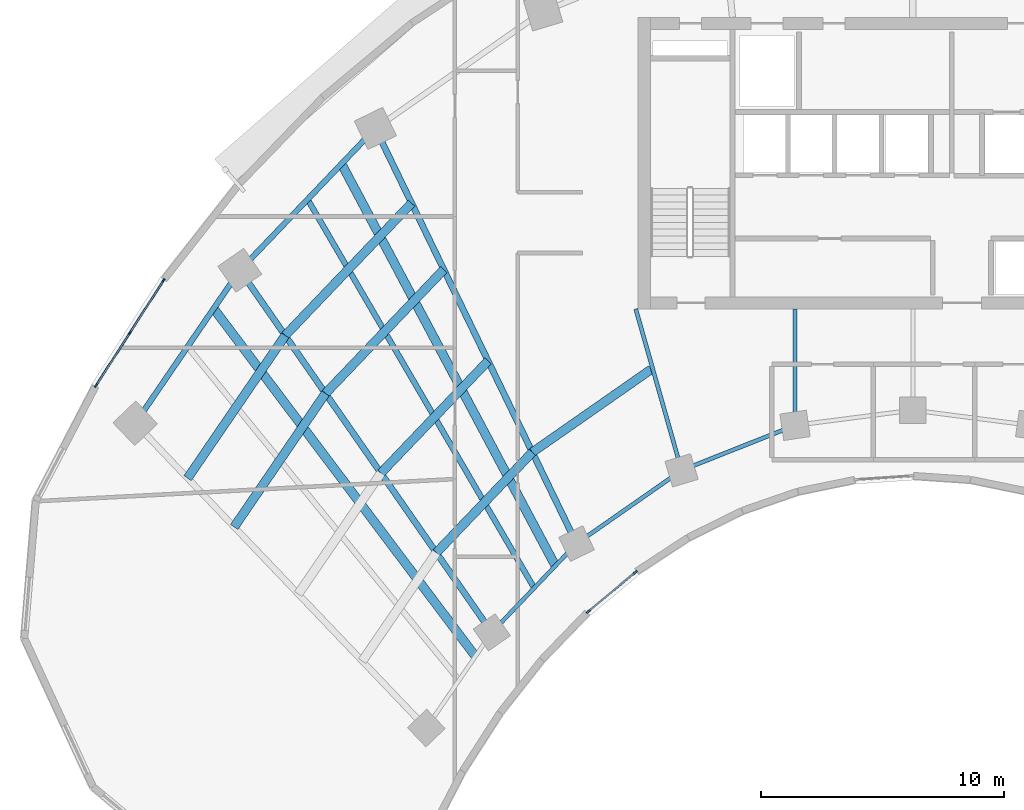
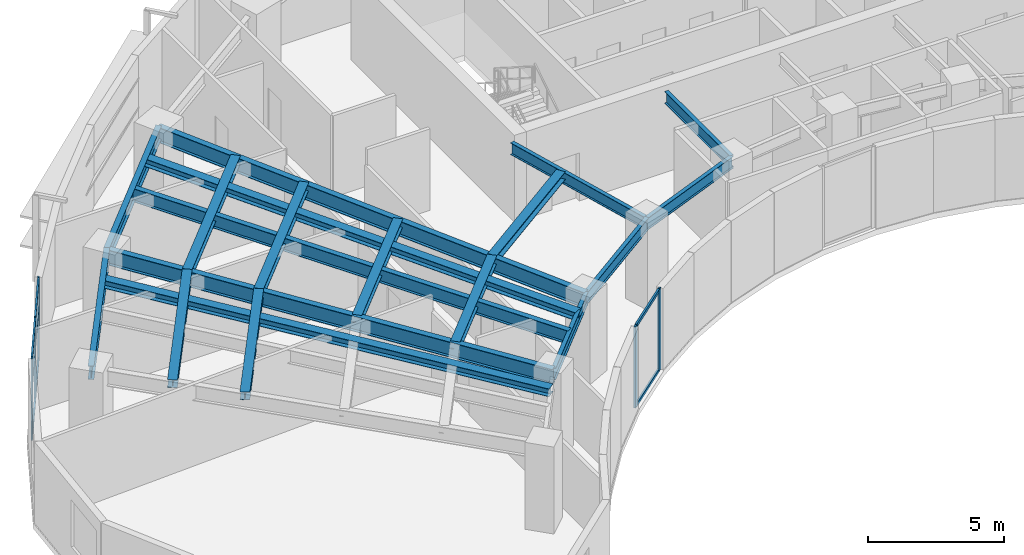
# One storey, part 2 of 14: 19 beams, 13 members, 2 elements without a shape of their own.
"""IFC4 building model written with IfcOpenShell, lengths in metres."""

from ifc_helpers import new_model, si_unit, direction, frame, origin, origin_2d, place, context, subcontext, project, spatial, rectangle, i_section, extrude, source, transform, mapped, material, layer, layer_set, material_profile, profile_set, type_object, type_shapes, element, aggregate, save


model = new_model("IFC4")

# Units and contexts
model_context = context("Model", 3, precision=1e-05, world=origin(), true_north=direction((0.0, 1.0)))
body_context = subcontext(model_context, "Body", "Model", "MODEL_VIEW")
ifc_project = project(units=[si_unit("LENGTHUNIT", "METRE"), si_unit("AREAUNIT", "SQUARE_METRE"), si_unit("VOLUMEUNIT", "CUBIC_METRE"), si_unit("PLANEANGLEUNIT", "RADIAN"), si_unit("MASSUNIT", "GRAM", prefix="KILO")], contexts=[model_context])

# Site, building, storey
site_placement = place(None, origin())
site = spatial("IfcSite", under=ifc_project, at=site_placement, CompositionType="ELEMENT")
building_placement = place(site_placement, origin())
building = spatial("IfcBuilding", under=site, at=building_placement, Name="Breltana Convention Tower", CompositionType="ELEMENT")
storey_placement = place(building_placement, frame((0.0, 0.0, 99.89990234375)))
storey = spatial("IfcBuildingStorey", under=building, at=storey_placement, Name="L23", CompositionType="ELEMENT", Elevation=99.89990234375)

# Beams
ifc_material_1 = material(Name="Steel ASTM A992 Grade 50", Category="steel")
ifc_material_profile_1 = material_profile(ifc_material_1, i_section(OverallWidth=0.25390625, OverallDepth=0.68798828125, WebThickness=0.01318359375, FlangeThickness=0.02099609375, at=origin_2d()), Name="W27X102")
ifc_profile_set_1 = profile_set([ifc_material_profile_1], Name="Steel ASTM A992 Grade 50")
beam_type_1 = type_object("IfcBeamType", Name="BM-RG-W27X102", PredefinedType="USERDEFINED", material=ifc_profile_set_1)
shared_shape_1 = source(origin(), body_context, "Body", "SweptSolid", [
    extrude(i_section(OverallWidth=0.25390625, OverallDepth=0.68798828125, WebThickness=0.01318359375, FlangeThickness=0.02099609375, at=origin_2d()), origin(), (0.0, 0.0, 1.0), 18.1484375),
])
beam_1_placement = place(storey_placement, frame((30.67724609375, 46.892333984375, 3.30615234375), z_axis=(-0.571207556098, 0.820805657788, 0.0), x_axis=(-0.820805657788, -0.571207556098, 0.0)))
element("IfcBeam", 1, at=beam_1_placement, inside=storey, type_object=beam_type_1, Name="L23 Radial Floor Girder R02", ObjectType="GIRDER", PredefinedType="USERDEFINED", context=body_context, shape_type="MappedRepresentation", body=[
    mapped(shared_shape_1, transform((0.0, 0.0, 0.0), scale=1.0)),
])
shared_shape_2 = source(origin(), body_context, "Body", "SweptSolid", [
    extrude(i_section(OverallWidth=0.25390625, OverallDepth=0.68798828125, WebThickness=0.01318359375, FlangeThickness=0.02099609375, at=origin_2d()), origin(), (0.0, 0.0, 1.0), 18.982421875),
])
beam_2_placement = place(storey_placement, frame((34.166259765625, 50.544921875, 3.30615234375), z_axis=(-0.436118560343, 0.89988921614, 0.0), x_axis=(-0.89988921614, -0.436118560343, 0.0)))
element("IfcBeam", 2, at=beam_2_placement, inside=storey, type_object=beam_type_1, Name="L23 Radial Floor Girder R03", ObjectType="GIRDER", PredefinedType="USERDEFINED", context=body_context, shape_type="MappedRepresentation", body=[
    mapped(shared_shape_2, transform((0.0, 0.0, 0.0), scale=1.0)),
])
ifc_material_profile_2 = material_profile(ifc_material_1, i_section(OverallWidth=0.166015625, OverallDepth=0.534912109375, WebThickness=0.01025390625, FlangeThickness=0.0166015625, at=origin_2d()), Name="W21X57")
ifc_profile_set_2 = profile_set([ifc_material_profile_2], Name="Steel ASTM A992 Grade 50")
beam_type_2 = type_object("IfcBeamType", Name="BM-BM-W21X57", PredefinedType="BEAM", material=ifc_profile_set_2)
shared_shape_3 = source(origin(), body_context, "Body", "SweptSolid", [
    extrude(i_section(OverallWidth=0.166015625, OverallDepth=0.534912109375, WebThickness=0.01025390625, FlangeThickness=0.0166015625, at=origin_2d()), origin(), (0.0, 0.0, 1.0), 6.904541015625),
])
type_shapes(beam_type_2, [shared_shape_3])
beam_3_placement = place(storey_placement, frame((36.60009765625, 60.199951171875, 3.382568359375), z_axis=(0.273006781054, -0.962012108811, 0.0), x_axis=(0.962012108811, 0.273006781054, 0.0)))
element("IfcBeam", 3, at=beam_3_placement, inside=storey, type_object=beam_type_2, Name="L23 South Core Tie Girder R04", PredefinedType="BEAM", context=body_context, shape_type="MappedRepresentation", body=[
    mapped(shared_shape_3, transform((0.0, 0.0, 0.0), scale=1.0)),
])
shared_shape_4 = source(origin(), body_context, "Body", "SweptSolid", [
    extrude(i_section(OverallWidth=0.166015625, OverallDepth=0.534912109375, WebThickness=0.01025390625, FlangeThickness=0.0166015625, at=origin_2d()), origin(), (0.0, 0.0, 1.0), 4.789306640625),
])
beam_4_placement = place(storey_placement, frame((43.153564453125, 60.199951171875, 3.382568359375), z_axis=(0.0, -1.0, 0.0), x_axis=(1.0, 0.0, 0.0)))
element("IfcBeam", 4, at=beam_4_placement, inside=storey, type_object=beam_type_2, Name="L23 South Core Tie Girder R05", PredefinedType="BEAM", context=body_context, shape_type="MappedRepresentation", body=[
    mapped(shared_shape_4, transform((0.0, 0.0, 0.0), scale=1.0)),
])
ifc_material_profile_3 = material_profile(ifc_material_1, i_section(OverallWidth=0.22802734375, OverallDepth=0.60791015625, WebThickness=0.01123046875, FlangeThickness=0.017333984375, at=origin_2d()), Name="W24X76")
ifc_profile_set_3 = profile_set([ifc_material_profile_3], Name="Steel ASTM A992 Grade 50")
beam_type_3 = type_object("IfcBeamType", Name="BM-SP-W24X76", PredefinedType="SPANDREL", material=ifc_profile_set_3)
shared_shape_5 = source(origin(), body_context, "Body", "SweptSolid", [
    extrude(i_section(OverallWidth=0.22802734375, OverallDepth=0.60791015625, WebThickness=0.01123046875, FlangeThickness=0.017333984375, at=origin_2d()), origin(), (0.0, 0.0, 1.0), 7.625),
])
type_shapes(beam_type_3, [shared_shape_5])
beam_5_placement = place(storey_placement, frame((16.0068359375, 55.494384765625, 3.34619140625), z_axis=(0.564452031902, 0.825465870694, 0.0), x_axis=(-0.825465870694, 0.564452031902, 0.0)))
element("IfcBeam", 5, at=beam_5_placement, inside=storey, type_object=beam_type_3, Name="L23 Outer Spandrel Beam 01", PredefinedType="SPANDREL", context=body_context, shape_type="MappedRepresentation", body=[
    mapped(shared_shape_5, transform((0.0, 0.0, 0.0), scale=1.0)),
])
shared_shape_6 = source(origin(), body_context, "Body", "SweptSolid", [
    extrude(i_section(OverallWidth=0.166015625, OverallDepth=0.534912109375, WebThickness=0.01025390625, FlangeThickness=0.0166015625, at=origin_2d()), origin(), (0.0, 0.0, 1.0), 5.05126953125),
])
beam_6_placement = place(storey_placement, frame((30.67724609375, 46.892333984375, 3.382568359375), z_axis=(0.690729753845, 0.7231129975, 0.0), x_axis=(-0.7231129975, 0.690729753845, 0.0)))
element("IfcBeam", 6, at=beam_6_placement, inside=storey, type_object=beam_type_2, Name="L23 Inner Ring Beam 02", PredefinedType="BEAM", context=body_context, shape_type="MappedRepresentation", body=[
    mapped(shared_shape_6, transform((0.0, 0.0, 0.0), scale=1.0)),
])
shared_shape_7 = source(origin(), body_context, "Body", "SweptSolid", [
    extrude(i_section(OverallWidth=0.22802734375, OverallDepth=0.60791015625, WebThickness=0.01123046875, FlangeThickness=0.017333984375, at=origin_2d()), origin(), (0.0, 0.0, 1.0), 8.073974609375),
])
beam_7_placement = place(storey_placement, frame((20.310791015625, 61.78857421875, 3.34619140625), z_axis=(0.69072885448, 0.723113856588, 0.0), x_axis=(-0.723113856588, 0.69072885448, 0.0)))
element("IfcBeam", 7, at=beam_7_placement, inside=storey, type_object=beam_type_3, Name="L23 Outer Spandrel Beam 02", PredefinedType="SPANDREL", context=body_context, shape_type="MappedRepresentation", body=[
    mapped(shared_shape_7, transform((0.0, 0.0, 0.0), scale=1.0)),
])
shared_shape_8 = source(origin(), body_context, "Body", "SweptSolid", [
    extrude(i_section(OverallWidth=0.166015625, OverallDepth=0.534912109375, WebThickness=0.01025390625, FlangeThickness=0.0166015625, at=origin_2d()), origin(), (0.0, 0.0, 1.0), 5.265869140625),
])
beam_8_placement = place(storey_placement, frame((34.166259765625, 50.544921875, 3.382568359375), z_axis=(0.820167429517, 0.572123577176, 0.0), x_axis=(-0.572123577176, 0.820167429517, 0.0)))
element("IfcBeam", 8, at=beam_8_placement, inside=storey, type_object=beam_type_2, Name="L23 Inner Ring Beam 03", PredefinedType="BEAM", context=body_context, shape_type="MappedRepresentation", body=[
    mapped(shared_shape_8, transform((0.0, 0.0, 0.0), scale=1.0)),
])
shared_shape_9 = source(origin(), body_context, "Body", "SweptSolid", [
    extrude(i_section(OverallWidth=0.166015625, OverallDepth=0.534912109375, WebThickness=0.01025390625, FlangeThickness=0.0166015625, at=origin_2d()), origin(), (0.0, 0.0, 1.0), 5.022705078125),
])
beam_9_placement = place(storey_placement, frame((38.485107421875, 53.5576171875, 3.382568359375), z_axis=(0.929458966248, 0.368925507469, 0.0), x_axis=(-0.368925507469, 0.929458966248, 0.0)))
element("IfcBeam", 9, at=beam_9_placement, inside=storey, type_object=beam_type_2, Name="L23 Inner Ring Beam 04", PredefinedType="BEAM", context=body_context, shape_type="MappedRepresentation", body=[
    mapped(shared_shape_9, transform((0.0, 0.0, 0.0), scale=1.0)),
])
ifc_material_profile_4 = material_profile(ifc_material_1, i_section(OverallWidth=0.368896484375, OverallDepth=0.35595703125, WebThickness=0.01123046875, FlangeThickness=0.01806640625, at=origin_2d()), Name="W14X90")
ifc_profile_set_4 = profile_set([ifc_material_profile_4], Name="Steel ASTM A992 Grade 50")
beam_type_4 = type_object("IfcBeamType", Name="BM-JSG-09", PredefinedType="JOIST", material=ifc_profile_set_4)
shared_shape_10 = source(origin(), body_context, "Body", "SweptSolid", [
    extrude(i_section(OverallWidth=0.368896484375, OverallDepth=0.35595703125, WebThickness=0.01123046875, FlangeThickness=0.01806640625, at=origin_2d()), origin(), (0.0, 0.0, 1.0), 6.654541015625),
])
beam_10_placement = place(storey_placement, frame((20.0791015625, 51.23095703125, 3.47216796875), z_axis=(0.564482668195, 0.82544492082, 0.0), x_axis=(-0.82544492082, 0.564482668195, 0.0)))
element("IfcBeam", 10, at=beam_10_placement, inside=storey, type_object=beam_type_4, Name="L23 Composite Floor Joist 01.3", PredefinedType="JOIST", context=body_context, shape_type="MappedRepresentation", body=[
    mapped(shared_shape_10, transform((0.0, 0.0, 0.0), scale=1.0)),
])
shared_shape_11 = source(origin(), body_context, "Body", "SweptSolid", [
    extrude(i_section(OverallWidth=0.368896484375, OverallDepth=0.35595703125, WebThickness=0.01123046875, FlangeThickness=0.01806640625, at=origin_2d()), origin(), (0.0, 0.0, 1.0), 7.111328125),
])
beam_11_placement = place(storey_placement, frame((18.162841796875, 53.2373046875, 3.47216796875), z_axis=(0.564446356178, 0.825469751715, 0.0), x_axis=(-0.825469751715, 0.564446356178, 0.0)))
element("IfcBeam", 11, at=beam_11_placement, inside=storey, type_object=beam_type_4, Name="L23 Composite Floor Joist 01.4", PredefinedType="JOIST", context=body_context, shape_type="MappedRepresentation", body=[
    mapped(shared_shape_11, transform((0.0, 0.0, 0.0), scale=1.0)),
])
shared_shape_12 = source(origin(), body_context, "Body", "SweptSolid", [
    extrude(i_section(OverallWidth=0.368896484375, OverallDepth=0.35595703125, WebThickness=0.01123046875, FlangeThickness=0.01806640625, at=origin_2d()), origin(), (0.0, 0.0, 1.0), 17.9072265625),
])
beam_12_placement = place(storey_placement, frame((30.00390625, 45.907958984375, 3.47216796875), z_axis=(-0.601382105028, 0.798961553363, 0.0), x_axis=(-0.798961553363, -0.601382105028, 0.0)))
element("IfcBeam", 12, at=beam_12_placement, inside=storey, type_object=beam_type_4, Name="L23 Quarter-Bay Radial Trimmer 01", PredefinedType="JOIST", context=body_context, shape_type="MappedRepresentation", body=[
    mapped(shared_shape_12, transform((0.0, 0.0, 0.0), scale=1.0)),
])
shared_shape_13 = source(origin(), body_context, "Body", "SweptSolid", [
    extrude(i_section(OverallWidth=0.368896484375, OverallDepth=0.35595703125, WebThickness=0.01123046875, FlangeThickness=0.01806640625, at=origin_2d()), origin(), (0.0, 0.0, 1.0), 5.716064453125),
])
beam_13_placement = place(storey_placement, frame((28.396484375, 50.169677734375, 3.47216796875), z_axis=(0.690756060045, 0.723087868458, 0.0), x_axis=(-0.723087868458, 0.690756060045, 0.0)))
element("IfcBeam", 13, at=beam_13_placement, inside=storey, type_object=beam_type_4, Name="L23 Composite Floor Joist 02.1", PredefinedType="JOIST", context=body_context, shape_type="MappedRepresentation", body=[
    mapped(shared_shape_13, transform((0.0, 0.0, 0.0), scale=1.0)),
])
shared_shape_14 = source(origin(), body_context, "Body", "SweptSolid", [
    extrude(i_section(OverallWidth=0.368896484375, OverallDepth=0.35595703125, WebThickness=0.01123046875, FlangeThickness=0.01806640625, at=origin_2d()), origin(), (0.0, 0.0, 1.0), 6.381103515625),
])
beam_14_placement = place(storey_placement, frame((26.115966796875, 53.44677734375, 3.47216796875), z_axis=(0.690737768889, 0.723105341309, 0.0), x_axis=(-0.723105341309, 0.690737768889, 0.0)))
element("IfcBeam", 14, at=beam_14_placement, inside=storey, type_object=beam_type_4, Name="L23 Composite Floor Joist 02.2", PredefinedType="JOIST", context=body_context, shape_type="MappedRepresentation", body=[
    mapped(shared_shape_14, transform((0.0, 0.0, 0.0), scale=1.0)),
])
shared_shape_15 = source(origin(), body_context, "Body", "SweptSolid", [
    extrude(i_section(OverallWidth=0.368896484375, OverallDepth=0.35595703125, WebThickness=0.01123046875, FlangeThickness=0.01806640625, at=origin_2d()), origin(), (0.0, 0.0, 1.0), 7.046142578125),
])
beam_15_placement = place(storey_placement, frame((23.83544921875, 56.723876953125, 3.47216796875), z_axis=(0.690722929904, 0.723119515782, 0.0), x_axis=(-0.723119515782, 0.690722929904, 0.0)))
element("IfcBeam", 15, at=beam_15_placement, inside=storey, type_object=beam_type_4, Name="L23 Composite Floor Joist 02.3", PredefinedType="JOIST", context=body_context, shape_type="MappedRepresentation", body=[
    mapped(shared_shape_15, transform((0.0, 0.0, 0.0), scale=1.0)),
])
shared_shape_16 = source(origin(), body_context, "Body", "SweptSolid", [
    extrude(i_section(OverallWidth=0.368896484375, OverallDepth=0.35595703125, WebThickness=0.01123046875, FlangeThickness=0.01806640625, at=origin_2d()), origin(), (0.0, 0.0, 1.0), 7.529541015625),
])
beam_16_placement = place(storey_placement, frame((22.1767578125, 59.107421875, 3.47216796875), z_axis=(0.690725562031, 0.723117001568, 0.0), x_axis=(-0.723117001568, 0.690725562031, 0.0)))
element("IfcBeam", 16, at=beam_16_placement, inside=storey, type_object=beam_type_4, Name="L23 Composite Floor Joist 02.4", PredefinedType="JOIST", context=body_context, shape_type="MappedRepresentation", body=[
    mapped(shared_shape_16, transform((0.0, 0.0, 0.0), scale=1.0)),
])
ifc_material_profile_5 = material_profile(ifc_material_1, i_section(OverallWidth=0.22802734375, OverallDepth=0.60791015625, WebThickness=0.01123046875, FlangeThickness=0.017333984375, at=origin_2d()), Name="W24X76")
ifc_profile_set_5 = profile_set([ifc_material_profile_5], Name="Steel ASTM A992 Grade 50")
beam_type_5 = type_object("IfcBeamType", Name="BM-JSG-02", PredefinedType="JOIST", material=ifc_profile_set_5)
shared_shape_17 = source(origin(), body_context, "Body", "SweptSolid", [
    extrude(i_section(OverallWidth=0.22802734375, OverallDepth=0.60791015625, WebThickness=0.01123046875, FlangeThickness=0.017333984375, at=origin_2d()), origin(), (0.0, 0.0, 1.0), 18.50830078125),
])
beam_17_placement = place(storey_placement, frame((32.421630859375, 48.71875, 3.34619140625), z_axis=(-0.50368319637, 0.863888440537, 0.0), x_axis=(-0.863888440537, -0.50368319637, 0.0)))
element("IfcBeam", 17, at=beam_17_placement, inside=storey, type_object=beam_type_5, Name="L23 Mid-Bay Radial Trimmer 02", PredefinedType="JOIST", context=body_context, shape_type="MappedRepresentation", body=[
    mapped(shared_shape_17, transform((0.0, 0.0, 0.0), scale=1.0)),
])
shared_shape_18 = source(origin(), body_context, "Body", "SweptSolid", [
    extrude(i_section(OverallWidth=0.368896484375, OverallDepth=0.35595703125, WebThickness=0.01123046875, FlangeThickness=0.01806640625, at=origin_2d()), origin(), (0.0, 0.0, 1.0), 18.731689453125),
])
beam_18_placement = place(storey_placement, frame((33.2939453125, 49.6318359375, 3.47216796875), z_axis=(-0.469820250451, 0.882762104004, 0.0), x_axis=(-0.882762104004, -0.469820250451, 0.0)))
element("IfcBeam", 18, at=beam_18_placement, inside=storey, type_object=beam_type_4, Name="L23 Quarter-Bay Radial Trimmer 02", PredefinedType="JOIST", context=body_context, shape_type="MappedRepresentation", body=[
    mapped(shared_shape_18, transform((0.0, 0.0, 0.0), scale=1.0)),
])
shared_shape_19 = source(origin(), body_context, "Body", "SweptSolid", [
    extrude(i_section(OverallWidth=0.368896484375, OverallDepth=0.35595703125, WebThickness=0.01123046875, FlangeThickness=0.01806640625, at=origin_2d()), origin(), (0.0, 0.0, 1.0), 5.959228515625),
])
beam_19_placement = place(storey_placement, frame((32.344970703125, 54.302978515625, 3.47216796875), z_axis=(0.820160485262, 0.572133531979, 0.0), x_axis=(-0.572133531979, 0.820160485262, 0.0)))
element("IfcBeam", 19, at=beam_19_placement, inside=storey, type_object=beam_type_4, Name="L23 Composite Floor Joist 03.1", PredefinedType="JOIST", context=body_context, shape_type="MappedRepresentation", body=[
    mapped(shared_shape_19, transform((0.0, 0.0, 0.0), scale=1.0)),
])

# Curtain wall, members
ifc_material_2 = material(Name="Aluminium Anodised Bronze Frame", Category="aluminium")
ifc_layer_1 = layer(ifc_material_2, 0.18994140625, Name="Aluminium Anodised Bronze Frame")
ifc_layer_set_1 = layer_set([ifc_layer_1], Name="Aluminium Anodised Bronze Frame")
curtain_wall_type_1 = type_object("IfcCurtainWallType", Name="CW-SYS-1", PredefinedType="NOTDEFINED", material=ifc_layer_set_1)
curtain_wall_1_placement = place(storey_placement, origin())
curtain_wall_1 = element("IfcCurtainWall", 20, at=curtain_wall_1_placement, inside=storey, type_object=curtain_wall_type_1, Name="L23 inner south-court glazing 5", PredefinedType="NOTDEFINED")
ifc_material_3 = material(Name="Aluminium Anodised Bronze", Category="aluminium")
ifc_material_profile_6 = material_profile(ifc_material_3, rectangle(XDim=0.080078125, YDim=0.139892578125, at=origin_2d()), Name="CWT-80X140")
ifc_profile_set_6 = profile_set([ifc_material_profile_6], Name="Aluminium Anodised Bronze")
member_type_1 = type_object("IfcMemberType", Name="CWT-140", PredefinedType="USERDEFINED", material=ifc_profile_set_6)
shared_shape_20 = source(origin(), body_context, "Body", "SweptSolid", [
    extrude(rectangle(XDim=0.080078125, YDim=0.139892578125, at=origin_2d()), origin(), (0.0, 0.0, 1.0), 2.44091796875),
])
member_1_placement = place(storey_placement, frame((36.551513671875, 49.335693359375, 0.0400390625), z_axis=(-0.767991664717, -0.64045983709, 0.0), x_axis=(0.64045983709, -0.767991664717, 0.0)))
member_1 = element("IfcMember", 21, at=member_1_placement, type_object=member_type_1, Name="CW-01 transom 1.1", ObjectType="TRANSOM", PredefinedType="USERDEFINED", context=body_context, shape_type="MappedRepresentation", body=[
    mapped(shared_shape_20, transform((0.0, 0.0, 0.0), scale=1.0)),
])
member_2_placement = place(storey_placement, frame((36.551513671875, 49.335693359375, 3.610107421875), z_axis=(-0.767991664717, -0.64045983709, 0.0), x_axis=(0.64045983709, -0.767991664717, 0.0)))
member_2 = element("IfcMember", 22, at=member_2_placement, type_object=member_type_1, Name="CW-01 transom 1.2", ObjectType="TRANSOM", PredefinedType="USERDEFINED", context=body_context, shape_type="MappedRepresentation", body=[
    mapped(shared_shape_20, transform((0.0, 0.0, 0.0), scale=1.0)),
])

ifc_layer_2 = layer(ifc_material_2, 0.22998046875, Name="Aluminium Anodised Bronze Frame")
ifc_layer_set_2 = layer_set([ifc_layer_2], Name="Aluminium Anodised Bronze Frame")
curtain_wall_type_2 = type_object("IfcCurtainWallType", Name="CW-SYS-5", PredefinedType="NOTDEFINED", material=ifc_layer_set_2)
curtain_wall_2_placement = place(storey_placement, origin())
curtain_wall_2 = element("IfcCurtainWall", 23, at=curtain_wall_2_placement, inside=storey, type_object=curtain_wall_type_2, Name="L23 outer double-skin inner glazing 1", PredefinedType="NOTDEFINED")
ifc_material_profile_7 = material_profile(ifc_material_3, rectangle(XDim=0.070068359375, YDim=0.1201171875, at=origin_2d()), Name="CWT-70X120")
ifc_profile_set_7 = profile_set([ifc_material_profile_7], Name="Aluminium Anodised Bronze")
member_type_2 = type_object("IfcMemberType", Name="CWT-120", PredefinedType="USERDEFINED", material=ifc_profile_set_7)
shared_shape_21 = source(origin(), body_context, "Body", "SweptSolid", [
    extrude(rectangle(XDim=0.070068359375, YDim=0.1201171875, at=origin_2d()), origin(), (0.0, 0.0, 1.0), 2.49755859375),
])
member_3_placement = place(storey_placement, frame((14.41455078125, 57.078857421875, 0.03515625), z_axis=(0.540179419124, 0.841549876808, 0.0), x_axis=(-0.841549876808, 0.540179419124, 0.0)))
member_3 = element("IfcMember", 24, at=member_3_placement, type_object=member_type_2, Name="CW-05 transom 1.1", ObjectType="TRANSOM", PredefinedType="USERDEFINED", context=body_context, shape_type="MappedRepresentation", body=[
    mapped(shared_shape_21, transform((0.0, 0.0, 0.0), scale=1.0)),
])
member_4_placement = place(storey_placement, frame((14.41455078125, 57.078857421875, 2.37255859375), z_axis=(0.540179419124, 0.841549876808, 0.0), x_axis=(-0.841549876808, 0.540179419124, 0.0)))
member_4 = element("IfcMember", 25, at=member_4_placement, type_object=member_type_2, Name="CW-05 transom 1.2", ObjectType="TRANSOM", PredefinedType="USERDEFINED", context=body_context, shape_type="MappedRepresentation", body=[
    mapped(shared_shape_21, transform((0.0, 0.0, 0.0), scale=1.0)),
])
member_5_placement = place(storey_placement, frame((14.41455078125, 57.078857421875, 3.614990234375), z_axis=(0.540179419124, 0.841549876808, 0.0), x_axis=(-0.841549876808, 0.540179419124, 0.0)))
member_5 = element("IfcMember", 26, at=member_5_placement, type_object=member_type_2, Name="CW-05 transom 1.3", ObjectType="TRANSOM", PredefinedType="USERDEFINED", context=body_context, shape_type="MappedRepresentation", body=[
    mapped(shared_shape_21, transform((0.0, 0.0, 0.0), scale=1.0)),
])
member_6_placement = place(storey_placement, frame((15.801513671875, 59.23974609375, 0.03515625), z_axis=(0.540179419124, 0.841549876808, 0.0), x_axis=(-0.841549876808, 0.540179419124, 0.0)))
member_6 = element("IfcMember", 27, at=member_6_placement, type_object=member_type_2, Name="CW-05 transom 2.1", ObjectType="TRANSOM", PredefinedType="USERDEFINED", context=body_context, shape_type="MappedRepresentation", body=[
    mapped(shared_shape_21, transform((0.0, 0.0, 0.0), scale=1.0)),
])
member_7_placement = place(storey_placement, frame((15.801513671875, 59.23974609375, 2.37255859375), z_axis=(0.540179419124, 0.841549876808, 0.0), x_axis=(-0.841549876808, 0.540179419124, 0.0)))
member_7 = element("IfcMember", 28, at=member_7_placement, type_object=member_type_2, Name="CW-05 transom 2.2", ObjectType="TRANSOM", PredefinedType="USERDEFINED", context=body_context, shape_type="MappedRepresentation", body=[
    mapped(shared_shape_21, transform((0.0, 0.0, 0.0), scale=1.0)),
])
member_8_placement = place(storey_placement, frame((15.801513671875, 59.23974609375, 3.614990234375), z_axis=(0.540179419124, 0.841549876808, 0.0), x_axis=(-0.841549876808, 0.540179419124, 0.0)))
member_8 = element("IfcMember", 29, at=member_8_placement, type_object=member_type_2, Name="CW-05 transom 2.3", ObjectType="TRANSOM", PredefinedType="USERDEFINED", context=body_context, shape_type="MappedRepresentation", body=[
    mapped(shared_shape_21, transform((0.0, 0.0, 0.0), scale=1.0)),
])

# Member
ifc_material_profile_8 = material_profile(ifc_material_3, rectangle(XDim=0.080078125, YDim=0.199951171875, at=origin_2d()), Name="CWM-80X200")
ifc_profile_set_8 = profile_set([ifc_material_profile_8], Name="Aluminium Anodised Bronze")
member_type_3 = type_object("IfcMemberType", Name="CWM-200", PredefinedType="MULLION", material=ifc_profile_set_8)
shared_shape_22 = source(origin(), body_context, "Body", "SweptSolid", [
    extrude(rectangle(XDim=0.080078125, YDim=0.199951171875, at=origin_2d()), origin(), (0.0, 0.0, 1.0), 3.650146484375),
])
member_9_placement = place(storey_placement, frame((36.582275390625, 49.361328125, 0.0), z_axis=(0.0, 0.0, 1.0), x_axis=(0.640520924036, -0.76794071768, 0.0)))
member_9 = element("IfcMember", 30, at=member_9_placement, type_object=member_type_3, Name="CW-01 mullion 1", PredefinedType="MULLION", context=body_context, shape_type="MappedRepresentation", body=[
    mapped(shared_shape_22, transform((0.0, 0.0, 0.0), scale=1.0)),
])

member_10_placement = place(storey_placement, frame((34.646240234375, 47.746826171875, 0.0), z_axis=(0.0, 0.0, 1.0), x_axis=(0.640520924036, -0.76794071768, 0.0)))
member_10 = element("IfcMember", 31, at=member_10_placement, type_object=member_type_3, Name="CW-01 mullion 2", PredefinedType="MULLION", context=body_context, shape_type="MappedRepresentation", body=[
    mapped(shared_shape_22, transform((0.0, 0.0, 0.0), scale=1.0)),
])

aggregate(curtain_wall_1, [member_9, member_10, member_1, member_2])

ifc_material_profile_9 = material_profile(ifc_material_3, rectangle(XDim=0.070068359375, YDim=0.175048828125, at=origin_2d()), Name="CWM-70X175")
ifc_profile_set_9 = profile_set([ifc_material_profile_9], Name="Aluminium Anodised Bronze")
member_type_4 = type_object("IfcMemberType", Name="CWM-175", PredefinedType="MULLION", material=ifc_profile_set_9)
shared_shape_23 = source(origin(), body_context, "Body", "SweptSolid", [
    extrude(rectangle(XDim=0.070068359375, YDim=0.175048828125, at=origin_2d()), origin(), (0.0, 0.0, 1.0), 3.650146484375),
])
member_11_placement = place(storey_placement, frame((14.395751953125, 57.049560546875, 0.0), z_axis=(0.0, 0.0, 1.0), x_axis=(-0.84155155167, 0.540176809834, 0.0)))
member_11 = element("IfcMember", 32, at=member_11_placement, type_object=member_type_4, Name="CW-05 mullion 1", PredefinedType="MULLION", context=body_context, shape_type="MappedRepresentation", body=[
    mapped(shared_shape_23, transform((0.0, 0.0, 0.0), scale=1.0)),
])

member_12_placement = place(storey_placement, frame((15.78271484375, 59.210205078125, 0.0), z_axis=(0.0, 0.0, 1.0), x_axis=(-0.84155155167, 0.540176809834, 0.0)))
member_12 = element("IfcMember", 33, at=member_12_placement, type_object=member_type_4, Name="CW-05 mullion 2", PredefinedType="MULLION", context=body_context, shape_type="MappedRepresentation", body=[
    mapped(shared_shape_23, transform((0.0, 0.0, 0.0), scale=1.0)),
])

member_13_placement = place(storey_placement, frame((17.169677734375, 61.370849609375, 0.0), z_axis=(0.0, 0.0, 1.0), x_axis=(-0.84155155167, 0.540176809834, 0.0)))
member_13 = element("IfcMember", 34, at=member_13_placement, type_object=member_type_4, Name="CW-05 mullion 3", PredefinedType="MULLION", context=body_context, shape_type="MappedRepresentation", body=[
    mapped(shared_shape_23, transform((0.0, 0.0, 0.0), scale=1.0)),
])

aggregate(curtain_wall_2, [member_11, member_12, member_13, member_3, member_4, member_5, member_6, member_7, member_8])

save(model, "model.ifc")
